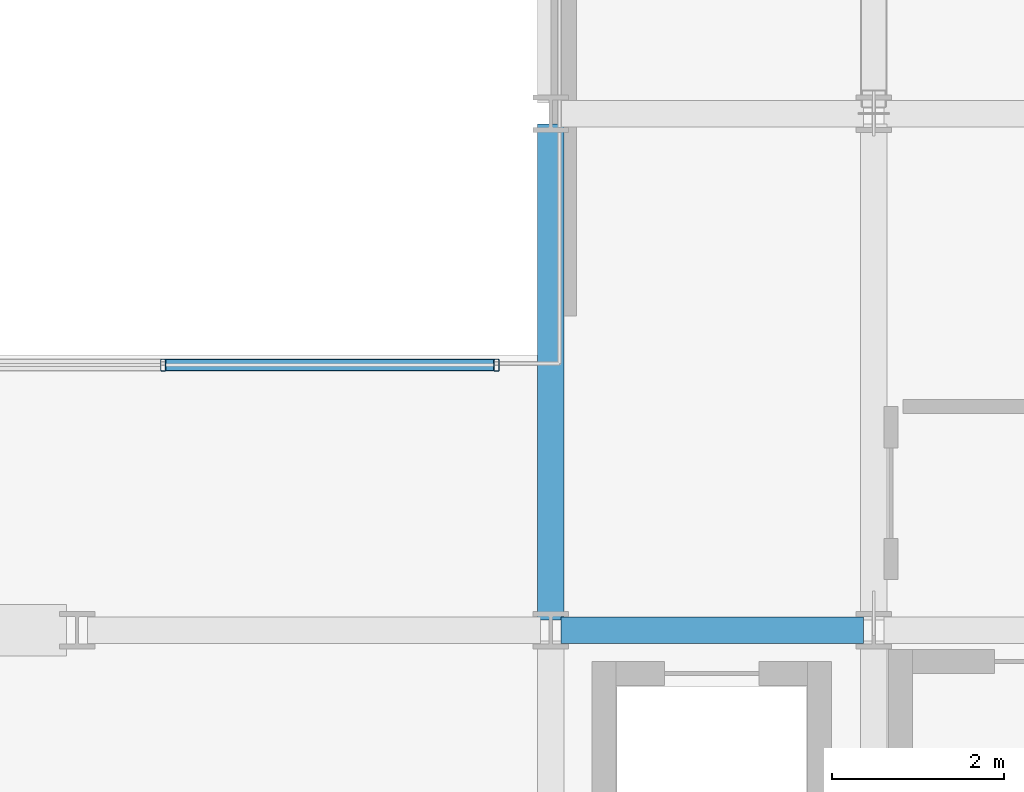
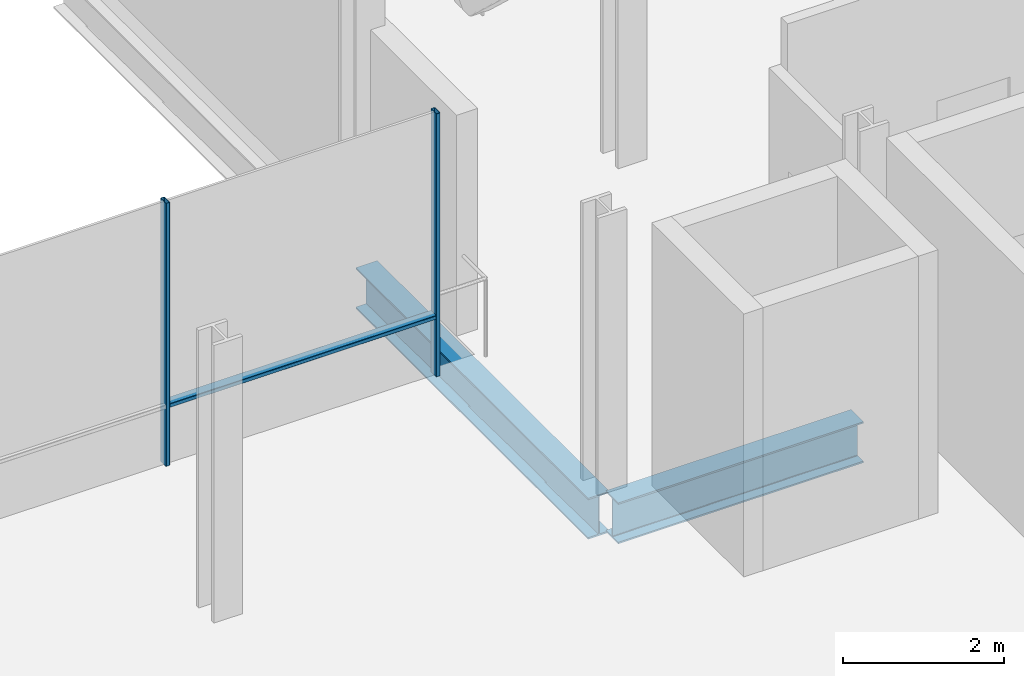
# One storey, part 15 of 32: 3 members, 2 beams, 1 element without a shape of its own.
"""IFC4 building model written with IfcOpenShell, lengths in metres."""

from ifc_helpers import new_model, si_unit, direction, frame, origin, origin_2d, place, context, subcontext, project, spatial, hollow_rectangle, i_section, extrude, material, layer, layer_set, material_profile, profile_set, type_object, element, aggregate, save


model = new_model("IFC4")

# Units and contexts
model_context = context("Model", 3, precision=1e-05, world=origin(), true_north=direction((0.0, 1.0)))
body_context = subcontext(model_context, "Body", "Model", "MODEL_VIEW")
ifc_project = project(units=[si_unit("LENGTHUNIT", "METRE"), si_unit("AREAUNIT", "SQUARE_METRE"), si_unit("VOLUMEUNIT", "CUBIC_METRE"), si_unit("PLANEANGLEUNIT", "RADIAN"), si_unit("MASSUNIT", "GRAM", prefix="KILO")], contexts=[model_context])

# Site, building, storey
site_placement = place(None, origin())
site = spatial("IfcSite", under=ifc_project, at=site_placement, CompositionType="ELEMENT")
building_placement = place(site_placement, origin())
building = spatial("IfcBuilding", under=site, at=building_placement, Name="Brevholm Reach", CompositionType="ELEMENT")
storey_placement = place(building_placement, frame((0.0, 0.0, 96.199951171875)))
storey = spatial("IfcBuildingStorey", under=building, at=storey_placement, Name="L28", CompositionType="ELEMENT", Elevation=96.199951171875)

# Beams
ifc_material_1 = material(Name="Structural Steel S355J2", Category="steel")
ifc_material_profile_1 = material_profile(ifc_material_1, i_section(OverallWidth=0.30712890625, OverallDepth=0.6201171875, WebThickness=0.01416015625, FlangeThickness=0.023681640625, FilletRadius=0.0166015625, at=origin_2d()), Name="UKB 610x305x179")
ifc_profile_set_1 = profile_set([ifc_material_profile_1], Name="Structural Steel S355J2")
beam_type = type_object("IfcBeamType", Name="BM-UKB610H", PredefinedType="USERDEFINED", material=ifc_profile_set_1)
beam_1_placement = place(storey_placement, frame((38.3701171875, 10.0, -0.570068359375), z_axis=(1.0, 0.0, 0.0), x_axis=(0.0, 1.0, 0.0)))
element("IfcBeam", 1, at=beam_1_placement, inside=storey, type_object=beam_type, Name="L28 G-06 Framing Beam", ObjectType="GIRDER", PredefinedType="USERDEFINED", context=body_context, shape_type="SweptSolid", body=[
    extrude(i_section(OverallWidth=0.30712890625, OverallDepth=0.6201171875, WebThickness=0.01416015625, FlangeThickness=0.023681640625, FilletRadius=0.0166015625, at=origin_2d()), origin(), (0.0, 0.0, 1.0), 3.509765625),
])
beam_2_placement = place(storey_placement, frame((38.25, 10.1201171875, -0.570068359375), z_axis=(0.0, 1.0, 0.0), x_axis=(-1.0, 0.0, 0.0)))
element("IfcBeam", 2, at=beam_2_placement, inside=storey, type_object=beam_type, Name="L28 G-06 Framing Beam", ObjectType="GIRDER", PredefinedType="USERDEFINED", context=body_context, shape_type="SweptSolid", body=[
    extrude(i_section(OverallWidth=0.30712890625, OverallDepth=0.6201171875, WebThickness=0.01416015625, FlangeThickness=0.023681640625, FilletRadius=0.0166015625, at=origin_2d()), origin(), (0.0, 0.0, 1.0), 5.759765625),
])

# Curtain wall, members
ifc_material_2 = material(Name="Dark Anodised Aluminium 6063-T6 and Solar-Control Glass", Category="aluminium")
ifc_layer = layer(ifc_material_2, 0.139892578125)
ifc_layer_set = layer_set([ifc_layer], Name="Dark Anodised Aluminium 6063-T6 and Solar-Control Glass")
curtain_wall_type = type_object("IfcCurtainWallType", Name="CW-02", PredefinedType="NOTDEFINED", material=ifc_layer_set)
curtain_wall_placement = place(storey_placement, origin())
curtain_wall = element("IfcCurtainWall", 3, at=curtain_wall_placement, inside=storey, type_object=curtain_wall_type, Name="L28 Curtain Wall CW-02", PredefinedType="NOTDEFINED")
ifc_material_3 = material(Name="Dark Anodised Aluminium 6063-T6", Category="aluminium")
ifc_material_profile_2 = material_profile(ifc_material_3, hollow_rectangle(XDim=0.06005859375, YDim=0.139892578125, WallThickness=0.0048828125, InnerFilletRadius=0.0048828125, OuterFilletRadius=0.010009765625, at=origin_2d()), Name="RHS 140x60x5")
ifc_profile_set_2 = profile_set([ifc_material_profile_2], Name="Dark Anodised Aluminium 6063-T6")
member_type_1 = type_object("IfcMemberType", Name="CWM-140", PredefinedType="MULLION", material=ifc_profile_set_2)
member_1_placement = place(storey_placement, frame((33.75, 13.080078125, 0.0), z_axis=(0.0, 0.0, 1.0), x_axis=(1.0, 0.0, 0.0)))
member_1 = element("IfcMember", 4, at=member_1_placement, type_object=member_type_1, Name="CM-140 Mullion 4", PredefinedType="MULLION", context=body_context, shape_type="SweptSolid", body=[
    extrude(hollow_rectangle(XDim=0.06005859375, YDim=0.139892578125, WallThickness=0.0048828125, InnerFilletRadius=0.0048828125, OuterFilletRadius=0.010009765625, at=origin_2d()), origin(), (0.0, 0.0, 1.0), 3.97998046875),
])
member_2_placement = place(storey_placement, frame((37.6201171875, 13.080078125, 0.0), z_axis=(0.0, 0.0, 1.0), x_axis=(1.0, 0.0, 0.0)))
member_2 = element("IfcMember", 5, at=member_2_placement, type_object=member_type_1, Name="CM-140 Mullion 5", PredefinedType="MULLION", context=body_context, shape_type="SweptSolid", body=[
    extrude(hollow_rectangle(XDim=0.06005859375, YDim=0.139892578125, WallThickness=0.0048828125, InnerFilletRadius=0.0048828125, OuterFilletRadius=0.010009765625, at=origin_2d()), origin(), (0.0, 0.0, 1.0), 3.97998046875),
])
ifc_material_4 = material(Name="Dark Anodised Aluminium 6063-T6", Category="aluminium")
ifc_material_profile_3 = material_profile(ifc_material_4, hollow_rectangle(XDim=0.06005859375, YDim=0.139892578125, WallThickness=0.0048828125, InnerFilletRadius=0.0048828125, OuterFilletRadius=0.010009765625, at=origin_2d()), Name="RHS 140x60x5")
ifc_profile_set_3 = profile_set([ifc_material_profile_3], Name="Dark Anodised Aluminium 6063-T6")
member_type_2 = type_object("IfcMemberType", Name="CWT-140", PredefinedType="NOTDEFINED", material=ifc_profile_set_3)
member_3_placement = place(storey_placement, frame((33.780029296875, 13.080078125, 0.900146484375), z_axis=(1.0, 0.0, 0.0), x_axis=(0.0, 0.0, 1.0)))
member_3 = element("IfcMember", 6, at=member_3_placement, type_object=member_type_2, Name="CT-140 Transom 4.1", ObjectType="TRANSOM", PredefinedType="USERDEFINED", context=body_context, shape_type="SweptSolid", body=[
    extrude(hollow_rectangle(XDim=0.06005859375, YDim=0.139892578125, WallThickness=0.0048828125, InnerFilletRadius=0.0048828125, OuterFilletRadius=0.010009765625, at=origin_2d()), origin(), (0.0, 0.0, 1.0), 3.81005859375),
])
aggregate(curtain_wall, [member_1, member_2, member_3])

save(model, "model.ifc")
